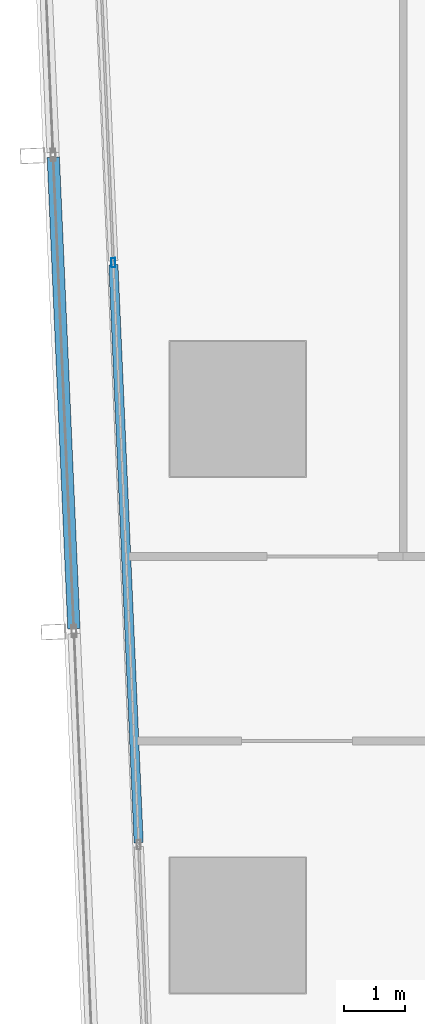
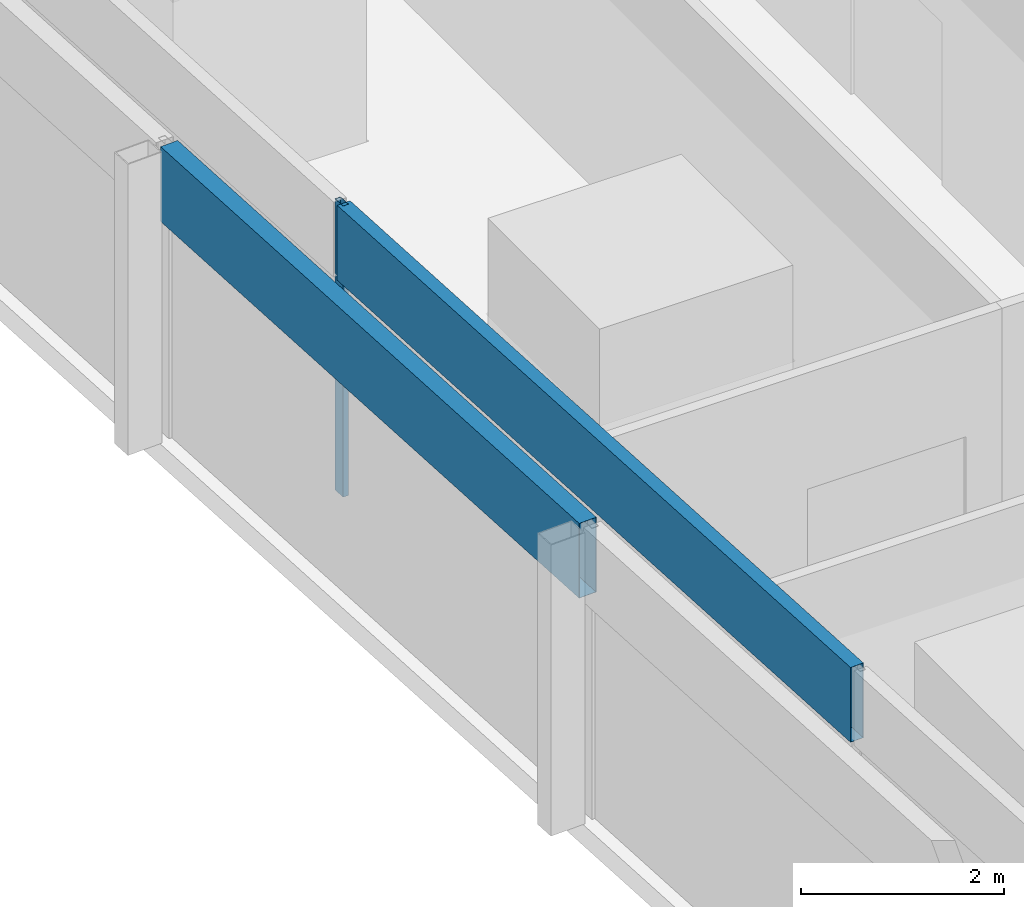
# One storey, part 8 of 45: 3 members, 2 elements without a shape of their own.
"""IFC4 building model written with IfcOpenShell, lengths in metres."""

import ifcopenshell
import ifcopenshell.guid

model = None  # the IFC model being written
_history = None  # IfcOwnerHistory: only IFC2X3 demands one
_inside = {}  # id of a spatial element -> (the spatial element, [elements in it])
_under = {}  # id of a project, library or spatial element -> (it, [spatial elements below it])
_declared = {}  # id of a project -> (the project, [libraries it declares])
_typed = {}  # id of a type object -> (the type object, [elements of that type])
_made_of = {}  # id of a material, layer set ... -> (it, [elements and type objects made of it])


def new_model(schema):
    """Start an empty IFC model of exactly this schema.

    Asked for "IFC4X3", IfcOpenShell would pick the latest addendum, in which some entities
    have other attributes; the version numbers below select the first issue.
    IFC2X3 requires an IfcOwnerHistory on every rooted entity: one is made here for all.
    """
    global model, _history
    if schema == "IFC4X3":
        model = ifcopenshell.file(schema_version=(4, 3, 0, 0))
    else:
        model = ifcopenshell.file(schema=schema)
    _inside.clear()
    _under.clear()
    _declared.clear()
    _typed.clear()
    _made_of.clear()
    _history = None
    if model.schema == "IFC2X3":
        org = make("IfcOrganization", Name="unknown")
        user = make(
            "IfcPersonAndOrganization",
            ThePerson=make("IfcPerson", FamilyName="unknown"),
            TheOrganization=org,
        )
        app = make(
            "IfcApplication",
            ApplicationDeveloper=org,
            Version="unknown",
            ApplicationFullName="unknown",
            ApplicationIdentifier="unknown",
        )
        _history = make(
            "IfcOwnerHistory",
            OwningUser=user,
            OwningApplication=app,
            ChangeAction="ADDED",
            CreationDate=0,
        )
    return model


def make(cls, **values):
    """One entity of the class cls with the attributes given. An attribute that is None is left unset."""
    return model.create_entity(
        cls, **{name: value for name, value in values.items() if value is not None}
    )


def rooted(cls, **values):
    """An entity with a GlobalId (a new one), such as an element, a storey or a relation."""
    return make(cls, GlobalId=ifcopenshell.guid.new(), OwnerHistory=_history, **values)


def si_unit(unit_type, name, prefix=None):
    """IfcSIUnit, for example si_unit("LENGTHUNIT", "METRE", prefix="MILLI")."""
    return make("IfcSIUnit", UnitType=unit_type, Prefix=prefix, Name=name)


def assignment(units):
    """IfcUnitAssignment: the units of a project."""
    return None if units is None else make("IfcUnitAssignment", Units=units)


def point(xyz):
    """IfcCartesianPoint."""
    return None if xyz is None else make("IfcCartesianPoint", Coordinates=xyz)


def direction(xyz):
    """IfcDirection."""
    return None if xyz is None else make("IfcDirection", DirectionRatios=xyz)


def frame(location, z_axis=None, x_axis=None):
    """IfcAxis2Placement3D, a coordinate frame: its origin and axes. An axis left out is left unset."""
    return make(
        "IfcAxis2Placement3D",
        Location=point(location),
        Axis=direction(z_axis),
        RefDirection=direction(x_axis),
    )


def frame_2d(location, x_axis=None):
    """IfcAxis2Placement2D, a coordinate frame in the plane: its origin and x axis."""
    return make(
        "IfcAxis2Placement2D", Location=point(location), RefDirection=direction(x_axis)
    )


def origin():
    """The frame at (0, 0, 0) with its axes left unset."""
    return frame((0.0, 0.0, 0.0))


def origin_2d():
    """The frame at (0, 0) in the plane with its x axis left unset."""
    return frame_2d((0.0, 0.0))


def place(relative_to, where):
    """IfcLocalPlacement: puts the frame where relative to a parent placement (None: the world)."""
    return make(
        "IfcLocalPlacement", PlacementRelTo=relative_to, RelativePlacement=where
    )


def context(
    kind, dimensions, precision=None, world=None, true_north=None, identifier=None
):
    """IfcGeometricRepresentationContext, for example the 3D "Model" context."""
    return make(
        "IfcGeometricRepresentationContext",
        ContextIdentifier=identifier,
        ContextType=kind,
        CoordinateSpaceDimension=dimensions,
        Precision=precision,
        WorldCoordinateSystem=world,
        TrueNorth=true_north,
    )


def subcontext(parent, identifier, kind, view, scale=None):
    """IfcGeometricRepresentationSubContext, for example "Body" below "Model"."""
    return make(
        "IfcGeometricRepresentationSubContext",
        ContextIdentifier=identifier,
        ContextType=kind,
        ParentContext=parent,
        TargetScale=scale,
        TargetView=view,
    )


def project(units=None, contexts=None):
    """IfcProject with its units and contexts."""
    return rooted(
        "IfcProject",
        Name="project",
        RepresentationContexts=contexts,
        UnitsInContext=assignment(units),
    )


def spatial(cls, under=None, at=None, **own):
    """A site, building, storey or space (cls), placed at a placement, below another one or the project."""
    s = rooted(cls, ObjectPlacement=at, **own)
    if under is not None:
        _under.setdefault(under.id(), (under, []))[1].append(s)
    return s


def profile(cls, at=None, kind="AREA", **sizes):
    """A parametric profile (cls). Its sizes go by their IFC names, for example OverallWidth=200.0."""
    return make(cls, ProfileType=kind, Position=at, **sizes)


def hollow_rectangle(**sizes):
    """IfcRectangleHollowProfileDef."""
    return profile("IfcRectangleHollowProfileDef", **sizes)


def extrude(swept, where, along, depth):
    """IfcExtrudedAreaSolid: the profile swept, set in the frame where, extruded along a direction by depth."""
    return make(
        "IfcExtrudedAreaSolid",
        SweptArea=swept,
        Position=where,
        ExtrudedDirection=direction(along),
        Depth=depth,
    )


def shape(context_of_items, identifier, shape_type, items):
    """IfcShapeRepresentation: the items that make up one representation, for example the "Body"."""
    return make(
        "IfcShapeRepresentation",
        ContextOfItems=context_of_items,
        RepresentationIdentifier=identifier,
        RepresentationType=shape_type,
        Items=items,
    )


def material(Name=None, Category=None):
    """IfcMaterial."""
    return make("IfcMaterial", Name=Name, Category=Category)


def material_profile(
    of_material, cross_section, Name=None, Category=None, Priority=None
):
    """IfcMaterialProfile: a cross section and its material."""
    return make(
        "IfcMaterialProfile",
        Name=Name,
        Material=of_material,
        Profile=cross_section,
        Priority=Priority,
        Category=Category,
    )


def profile_set(profiles, Name=None, composite=None):
    """IfcMaterialProfileSet."""
    return make(
        "IfcMaterialProfileSet",
        Name=Name,
        MaterialProfiles=profiles,
        CompositeProfile=composite,
    )


def made_of(thing, what):
    """Note that an element or type object is made of a material, layer set ...; save() writes the relation."""
    if what is not None:
        _made_of.setdefault(what.id(), (what, []))[1].append(thing)
    return thing


def type_object(cls, material=None, **own):
    """A type object (cls), such as IfcWallType, which elements share."""
    return made_of(rooted(cls, **own), material)


def element(
    cls,
    number,
    at=None,
    inside=None,
    cuts=None,
    type_object=None,
    material=None,
    context=None,
    identifier="Body",
    shape_type=None,
    held_by="IfcProductDefinitionShape",
    body=None,
    shapes=None,
    **own,
):
    """One element of the class cls, such as IfcWall. Its Tag is "e" and its number.

    at: its placement. inside: the storey or other place that contains it. cuts: it is an
    opening in that element (IfcRelVoidsElement). A single representation is given by context,
    identifier, shape_type and body (its items); several are given by shapes. held_by: the class
    of the entity that holds the representations. save() writes the other relations.
    """
    e = rooted(cls, Tag="e%d" % number, ObjectPlacement=at, **own)
    if body is not None:
        shapes = [shape(context, identifier, shape_type, body)]
    if shapes is not None:
        e.Representation = make(held_by, Representations=shapes)
    if inside is not None:
        _inside.setdefault(inside.id(), (inside, []))[1].append(e)
    if cuts is not None:
        rooted(
            "IfcRelVoidsElement", RelatingBuildingElement=cuts, RelatedOpeningElement=e
        )
    if type_object is not None:
        _typed.setdefault(type_object.id(), (type_object, []))[1].append(e)
    return made_of(e, material)


def aggregate(whole, parts):
    """IfcRelAggregates: a whole, such as a stair, and the parts it consists of."""
    return rooted("IfcRelAggregates", RelatingObject=whole, RelatedObjects=parts)


def save(model, path):
    """Write the relations noted so far, then the file.

    IfcRelAggregates (storeys below a building ...), IfcRelContainedInSpatialStructure (elements
    in a storey), IfcRelDefinesByType, IfcRelAssociatesMaterial and IfcRelDeclares: one each for
    every whole, place, type object, material and project.
    """
    for whole, parts in _under.values():
        aggregate(whole, parts)
    for where, things in _inside.values():
        rooted(
            "IfcRelContainedInSpatialStructure",
            RelatedElements=things,
            RelatingStructure=where,
        )
    for kind, things in _typed.values():
        rooted("IfcRelDefinesByType", RelatedObjects=things, RelatingType=kind)
    for what, things in _made_of.values():
        rooted("IfcRelAssociatesMaterial", RelatedObjects=things, RelatingMaterial=what)
    for by, libraries in _declared.values():
        rooted("IfcRelDeclares", RelatingContext=by, RelatedDefinitions=libraries)
    model.write(path)


model = new_model("IFC4")

# Units and contexts
model_context = context("Model", 3, precision=1e-05, world=origin(), true_north=direction((0.0, 1.0)))
body_context = subcontext(model_context, "Body", "Model", "MODEL_VIEW")
ifc_project = project(units=[si_unit("LENGTHUNIT", "METRE"), si_unit("AREAUNIT", "SQUARE_METRE"), si_unit("VOLUMEUNIT", "CUBIC_METRE"), si_unit("PLANEANGLEUNIT", "RADIAN"), si_unit("MASSUNIT", "GRAM", prefix="KILO")], contexts=[model_context])

# Site, building, storey
site_placement = place(None, origin())
site = spatial("IfcSite", under=ifc_project, at=site_placement, CompositionType="ELEMENT")
building_placement = place(site_placement, origin())
building = spatial("IfcBuilding", under=site, at=building_placement, Name="Rekha Terrace Tower", CompositionType="ELEMENT")
storey_placement = place(building_placement, frame((0.0, 0.0, 32.89990234375)))
storey = spatial("IfcBuildingStorey", under=building, at=storey_placement, Name="L07", CompositionType="ELEMENT", Elevation=32.89990234375)

# Curtain wall, members
ifc_material_1 = material(Name="Aluminium framing", Category="aluminium")
curtain_wall_type_1 = type_object("IfcCurtainWallType", Name="CW1 double skin inner glazing", PredefinedType="USERDEFINED", material=ifc_material_1)
curtain_wall_1_placement = place(storey_placement, origin())
curtain_wall_1 = element("IfcCurtainWall", 1, at=curtain_wall_1_placement, inside=storey, type_object=curtain_wall_type_1, Name="CW1 double skin inner glazing", ObjectType="DOUBLE SKIN INNER GLAZING", PredefinedType="USERDEFINED")
ifc_material_2 = material(Name="Aluminium mullion section", Category="aluminium")
ifc_material_profile_1 = material_profile(ifc_material_2, hollow_rectangle(XDim=0.06494140625, YDim=0.14990234375, WallThickness=0.00390625, at=origin_2d()), Name="AL RHS 65x150")
ifc_profile_set_1 = profile_set([ifc_material_profile_1], Name="Aluminium mullion section")
member_type_1 = type_object("IfcMemberType", Name="CW1 mullion RHS 65 x 150", PredefinedType="MULLION", material=ifc_profile_set_1)
member_1_placement = place(storey_placement, frame((6.37646484375, 35.978271484375, 0.0), z_axis=(0.0, 0.0, 1.0), x_axis=(0.999045462133, 0.043682543337, 0.0)))
member_1 = element("IfcMember", 2, at=member_1_placement, type_object=member_type_1, Name="CW1 mullion 2", PredefinedType="MULLION", context=body_context, shape_type="SweptSolid", body=[
    extrude(hollow_rectangle(XDim=0.06494140625, YDim=0.14990234375, WallThickness=0.00390625, at=origin_2d()), origin(), (0.0, 0.0, 1.0), 3.5),
])
ifc_material_3 = material(Name="Insulated aluminium spandrel box", Category="aluminium")
ifc_material_profile_2 = material_profile(ifc_material_3, hollow_rectangle(XDim=0.14990234375, YDim=0.89990234375, WallThickness=0.0029296875, at=origin_2d()), Name="AL SPANDREL BOX 150x900")
ifc_profile_set_2 = profile_set([ifc_material_profile_2], Name="Insulated aluminium spandrel box")
member_type_2 = type_object("IfcMemberType", Name="CW1 spandrel transom 150 x 900", PredefinedType="USERDEFINED", material=ifc_profile_set_2)
member_2_placement = place(storey_placement, frame((6.3779296875, 35.94580078125, 3.050048828125), z_axis=(0.043666917606, -0.999046145234, 0.0), x_axis=(0.999046145234, 0.043666917606, 0.0)))
member_2 = element("IfcMember", 3, at=member_2_placement, type_object=member_type_2, Name="CW1 spandrel transom 2", ObjectType="TRANSOM", PredefinedType="USERDEFINED", context=body_context, shape_type="SweptSolid", body=[
    extrude(hollow_rectangle(XDim=0.14990234375, YDim=0.89990234375, WallThickness=0.0029296875, at=origin_2d()), origin(), (0.0, 0.0, 1.0), 9.40966796875),
])
aggregate(curtain_wall_1, [member_1, member_2])

# Curtain wall, member
curtain_wall_type_2 = type_object("IfcCurtainWallType", Name="CW2 double skin outer glazing", PredefinedType="USERDEFINED", material=ifc_material_1)
curtain_wall_2_placement = place(storey_placement, origin())
curtain_wall_2 = element("IfcCurtainWall", 4, at=curtain_wall_2_placement, inside=storey, type_object=curtain_wall_type_2, Name="CW2 double skin outer glazing", ObjectType="DOUBLE SKIN OUTER GLAZING", PredefinedType="USERDEFINED")
ifc_material_profile_3 = material_profile(ifc_material_3, hollow_rectangle(XDim=0.199951171875, YDim=0.89990234375, WallThickness=0.0029296875, at=origin_2d()), Name="AL SPANDREL BOX 200x900")
ifc_profile_set_3 = profile_set([ifc_material_profile_3], Name="Insulated aluminium spandrel box")
member_type_3 = type_object("IfcMemberType", Name="CW2 spandrel transom 200 x 900", PredefinedType="USERDEFINED", material=ifc_profile_set_3)
member_3_placement = place(storey_placement, frame((5.400634765625, 37.690185546875, 3.050048828125), z_axis=(0.04369270591, -0.99904501773, 0.0), x_axis=(0.99904501773, 0.04369270591, 0.0)))
member_3 = element("IfcMember", 5, at=member_3_placement, type_object=member_type_3, Name="CW2 spandrel transom 2", ObjectType="TRANSOM", PredefinedType="USERDEFINED", context=body_context, shape_type="SweptSolid", body=[
    extrude(hollow_rectangle(XDim=0.199951171875, YDim=0.89990234375, WallThickness=0.0029296875, at=origin_2d()), origin(), (0.0, 0.0, 1.0), 7.671875),
])
aggregate(curtain_wall_2, [member_3])

save(model, "model.ifc")
